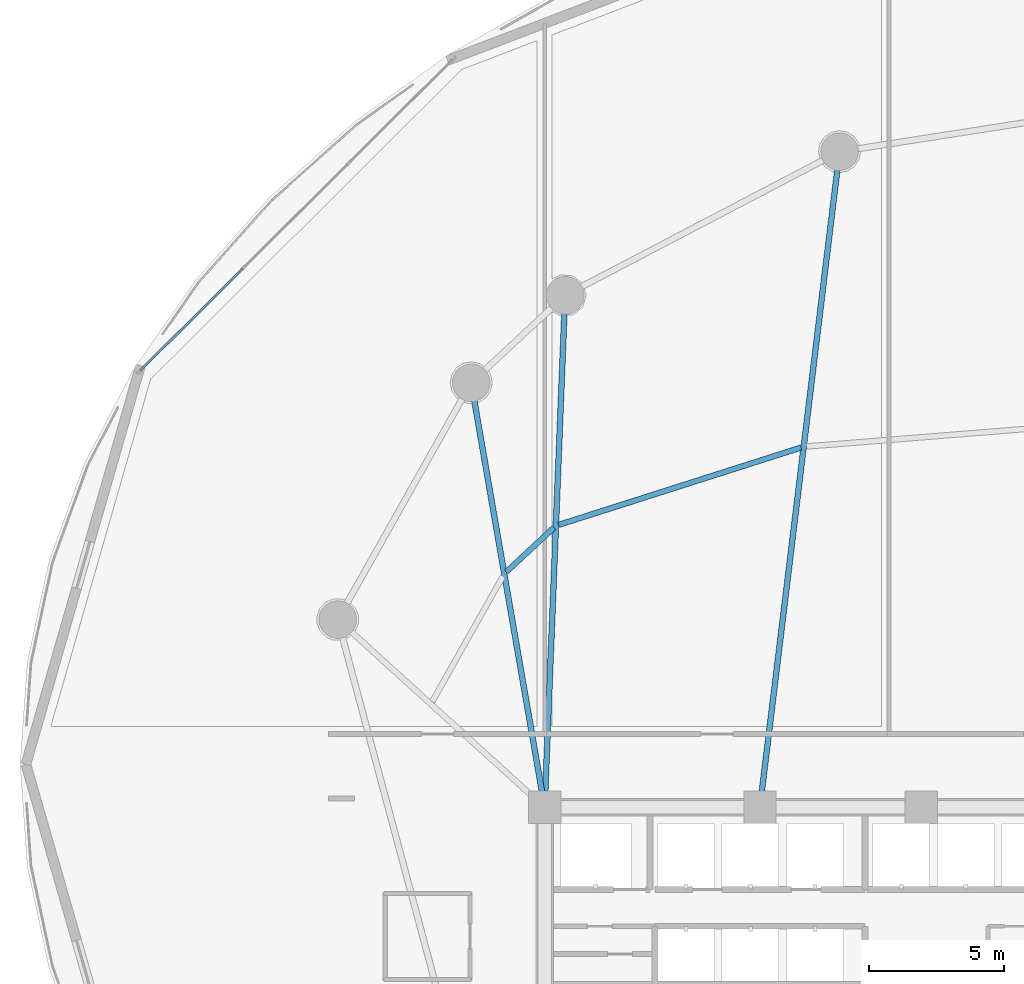
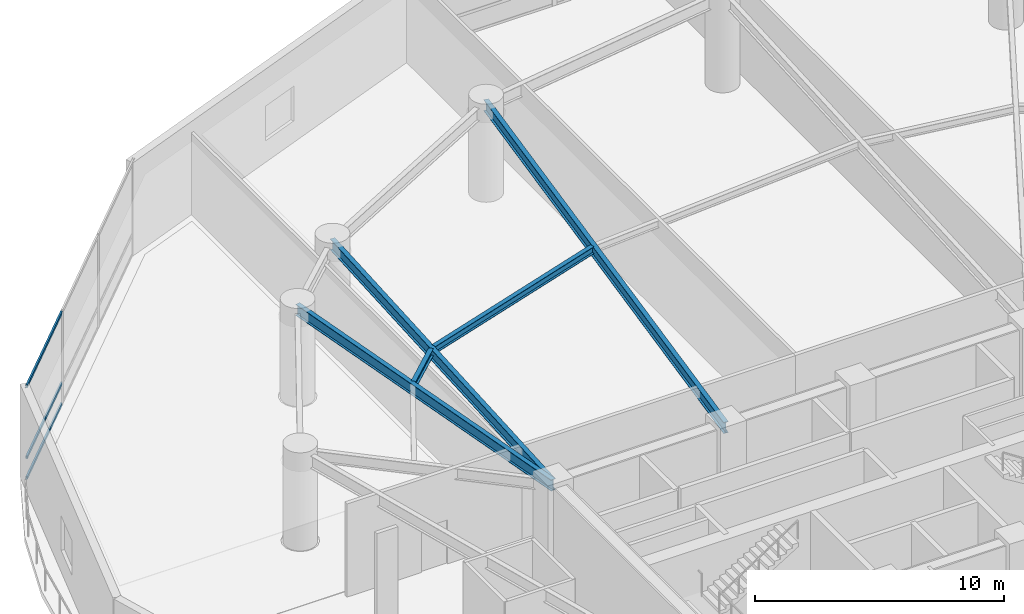
# One storey, part 7 of 26: 5 beams, 3 members, 1 element without a shape of its own.
"""IFC4 building model written with IfcOpenShell, lengths in metres."""

from ifc_helpers import new_model, si_unit, direction, frame, origin, origin_2d, place, context, subcontext, project, spatial, hollow_rectangle, i_section, extrude, material, layer, layer_set, material_profile, profile_set, type_object, element, aggregate, save


model = new_model("IFC4")

# Units and contexts
model_context = context("Model", 3, precision=1e-05, world=origin(), true_north=direction((0.0, 1.0)))
body_context = subcontext(model_context, "Body", "Model", "MODEL_VIEW")
ifc_project = project(units=[si_unit("LENGTHUNIT", "METRE"), si_unit("AREAUNIT", "SQUARE_METRE"), si_unit("VOLUMEUNIT", "CUBIC_METRE"), si_unit("PLANEANGLEUNIT", "RADIAN"), si_unit("MASSUNIT", "GRAM", prefix="KILO")], contexts=[model_context])

# Site, building, storey
site_placement = place(None, origin())
site = spatial("IfcSite", under=ifc_project, at=site_placement, CompositionType="ELEMENT")
building_placement = place(site_placement, origin())
building = spatial("IfcBuilding", under=site, at=building_placement, Name="Kazevale Care Tower and Concert Hall", CompositionType="ELEMENT")
storey_placement = place(building_placement, frame((0.0, 0.0, 19.199951171875)))
storey = spatial("IfcBuildingStorey", under=building, at=storey_placement, Name="L04", CompositionType="ELEMENT", Elevation=19.199951171875)

# Curtain wall, members
ifc_material_1 = material(Name="Aluminium 6063-T6 and Low-E Glass", Category="aluminium")
ifc_layer = layer(ifc_material_1, 0.179931640625)
ifc_layer_set = layer_set([ifc_layer], Name="Aluminium 6063-T6 and Low-E Glass")
curtain_wall_type = type_object("IfcCurtainWallType", Name="Podium Double-Skin Medical Curtain Wall CW-1", PredefinedType="NOTDEFINED", material=ifc_layer_set)
curtain_wall_placement = place(storey_placement, origin())
curtain_wall = element("IfcCurtainWall", 1, at=curtain_wall_placement, inside=storey, type_object=curtain_wall_type, Name="cw:L04:pod:06", PredefinedType="NOTDEFINED")
ifc_material_2 = material(Name="Aluminium 6063-T6", Category="aluminium")
ifc_material_profile_1 = material_profile(ifc_material_2, hollow_rectangle(XDim=0.080078125, YDim=0.139892578125, WallThickness=0.00390625, at=origin_2d()), Name="ALU80x140x4")
ifc_profile_set_1 = profile_set([ifc_material_profile_1], Name="Aluminium 6063-T6")
member_type = type_object("IfcMemberType", Name="CW-1 Transom ALU80x140x4", PredefinedType="USERDEFINED", material=ifc_profile_set_1)
member_1_placement = place(storey_placement, frame((10.785888671875, 56.432861328125, 0.0400390625), z_axis=(-0.708578901075, -0.705631590103, 0.0), x_axis=(0.705631590103, -0.708578901075, 0.0)))
member_1 = element("IfcMember", 2, at=member_1_placement, type_object=member_type, Name="CW-1 transom 3.1", ObjectType="TRANSOM", PredefinedType="USERDEFINED", context=body_context, shape_type="SweptSolid", body=[
    extrude(hollow_rectangle(XDim=0.080078125, YDim=0.139892578125, WallThickness=0.00390625, at=origin_2d()), origin(), (0.0, 0.0, 1.0), 5.38427734375),
])
member_2_placement = place(storey_placement, frame((10.785888671875, 56.432861328125, 1.050048828125), z_axis=(-0.708578901075, -0.705631590103, 0.0), x_axis=(0.705631590103, -0.708578901075, 0.0)))
member_2 = element("IfcMember", 3, at=member_2_placement, type_object=member_type, Name="CW-1 transom 3.2", ObjectType="TRANSOM", PredefinedType="USERDEFINED", context=body_context, shape_type="SweptSolid", body=[
    extrude(hollow_rectangle(XDim=0.080078125, YDim=0.139892578125, WallThickness=0.00390625, at=origin_2d()), origin(), (0.0, 0.0, 1.0), 5.38427734375),
])
member_3_placement = place(storey_placement, frame((10.785888671875, 56.432861328125, 4.52001953125), z_axis=(-0.708578901075, -0.705631590103, 0.0), x_axis=(0.705631590103, -0.708578901075, 0.0)))
member_3 = element("IfcMember", 4, at=member_3_placement, type_object=member_type, Name="CW-1 transom 3.3", ObjectType="TRANSOM", PredefinedType="USERDEFINED", context=body_context, shape_type="SweptSolid", body=[
    extrude(hollow_rectangle(XDim=0.080078125, YDim=0.139892578125, WallThickness=0.00390625, at=origin_2d()), origin(), (0.0, 0.0, 1.0), 5.38427734375),
])
aggregate(curtain_wall, [member_1, member_2, member_3])

# Beams
ifc_material_3 = material(Name="Steel ASTM A572 Gr 50", Category="steel")
ifc_material_profile_2 = material_profile(ifc_material_3, i_section(OverallWidth=0.2119140625, OverallDepth=0.5439453125, WebThickness=0.01318359375, FlangeThickness=0.021240234375, at=origin_2d()), Name="W530x123")
ifc_profile_set_2 = profile_set([ifc_material_profile_2], Name="Steel ASTM A572 Gr 50")
beam_type_1 = type_object("IfcBeamType", Name="Radial Floor Girder W530x123", PredefinedType="BEAM", material=ifc_profile_set_2)
beam_1_placement = place(storey_placement, frame((30.0, 36.39990234375, 4.2880859375), z_axis=(0.120572526662, 0.9927045209, 0.0), x_axis=(-0.9927045209, 0.120572526662, 0.0)))
element("IfcBeam", 5, at=beam_1_placement, inside=storey, type_object=beam_type_1, Name="beam:L04:rad:06", PredefinedType="BEAM", context=body_context, shape_type="SweptSolid", body=[
    extrude(i_section(OverallWidth=0.2119140625, OverallDepth=0.5439453125, WebThickness=0.01318359375, FlangeThickness=0.021240234375, at=origin_2d()), origin(), (0.0, 0.0, 1.0), 24.54931640625),
])
beam_2_placement = place(storey_placement, frame((22.0, 36.39990234375, 4.2880859375), z_axis=(0.039905581428, 0.999203455044, 0.0), x_axis=(-0.999203455044, 0.039905581428, 0.0)))
element("IfcBeam", 6, at=beam_2_placement, inside=storey, type_object=beam_type_1, Name="beam:L04:rad:07", PredefinedType="BEAM", context=body_context, shape_type="SweptSolid", body=[
    extrude(i_section(OverallWidth=0.2119140625, OverallDepth=0.5439453125, WebThickness=0.01318359375, FlangeThickness=0.021240234375, at=origin_2d()), origin(), (0.0, 0.0, 1.0), 19.045166015625),
])
beam_3_placement = place(storey_placement, frame((22.0, 36.39990234375, 4.2880859375), z_axis=(-0.170469986865, 0.985362868987, 0.0), x_axis=(-0.985362868987, -0.170469986865, 0.0)))
element("IfcBeam", 7, at=beam_3_placement, inside=storey, type_object=beam_type_1, Name="beam:L04:rad:08", PredefinedType="BEAM", context=body_context, shape_type="SweptSolid", body=[
    extrude(i_section(OverallWidth=0.2119140625, OverallDepth=0.5439453125, WebThickness=0.01318359375, FlangeThickness=0.021240234375, at=origin_2d()), origin(), (0.0, 0.0, 1.0), 16.014404296875),
])
ifc_material_profile_3 = material_profile(ifc_material_3, i_section(OverallWidth=0.205078125, OverallDepth=0.35400390625, WebThickness=0.009521484375, FlangeThickness=0.016845703125, at=origin_2d()), Name="W360x79")
ifc_profile_set_3 = profile_set([ifc_material_profile_3], Name="Steel ASTM A572 Gr 50")
beam_type_2 = type_object("IfcBeamType", Name="Secondary Floor Joist W360x79", PredefinedType="JOIST", material=ifc_profile_set_3)
beam_4_placement = place(storey_placement, frame((31.528076171875, 49.77197265625, 4.383056640625), z_axis=(-0.9527054955, -0.303895111584, 0.0), x_axis=(0.303895111584, -0.9527054955, 0.0)))
element("IfcBeam", 8, at=beam_4_placement, inside=storey, type_object=beam_type_2, Name="beam:L04:joist:06", PredefinedType="JOIST", context=body_context, shape_type="SweptSolid", body=[
    extrude(i_section(OverallWidth=0.205078125, OverallDepth=0.35400390625, WebThickness=0.009521484375, FlangeThickness=0.016845703125, at=origin_2d()), origin(), (0.0, 0.0, 1.0), 9.457275390625),
])
beam_5_placement = place(storey_placement, frame((22.341064453125, 46.794921875, 4.383056640625), z_axis=(-0.73194965424, -0.68135871878, 0.0), x_axis=(0.68135871878, -0.73194965424, 0.0)))
element("IfcBeam", 9, at=beam_5_placement, inside=storey, type_object=beam_type_2, Name="beam:L04:joist:07", PredefinedType="JOIST", context=body_context, shape_type="SweptSolid", body=[
    extrude(i_section(OverallWidth=0.205078125, OverallDepth=0.35400390625, WebThickness=0.009521484375, FlangeThickness=0.016845703125, at=origin_2d()), origin(), (0.0, 0.0, 1.0), 2.412841796875),
])

save(model, "model.ifc")
